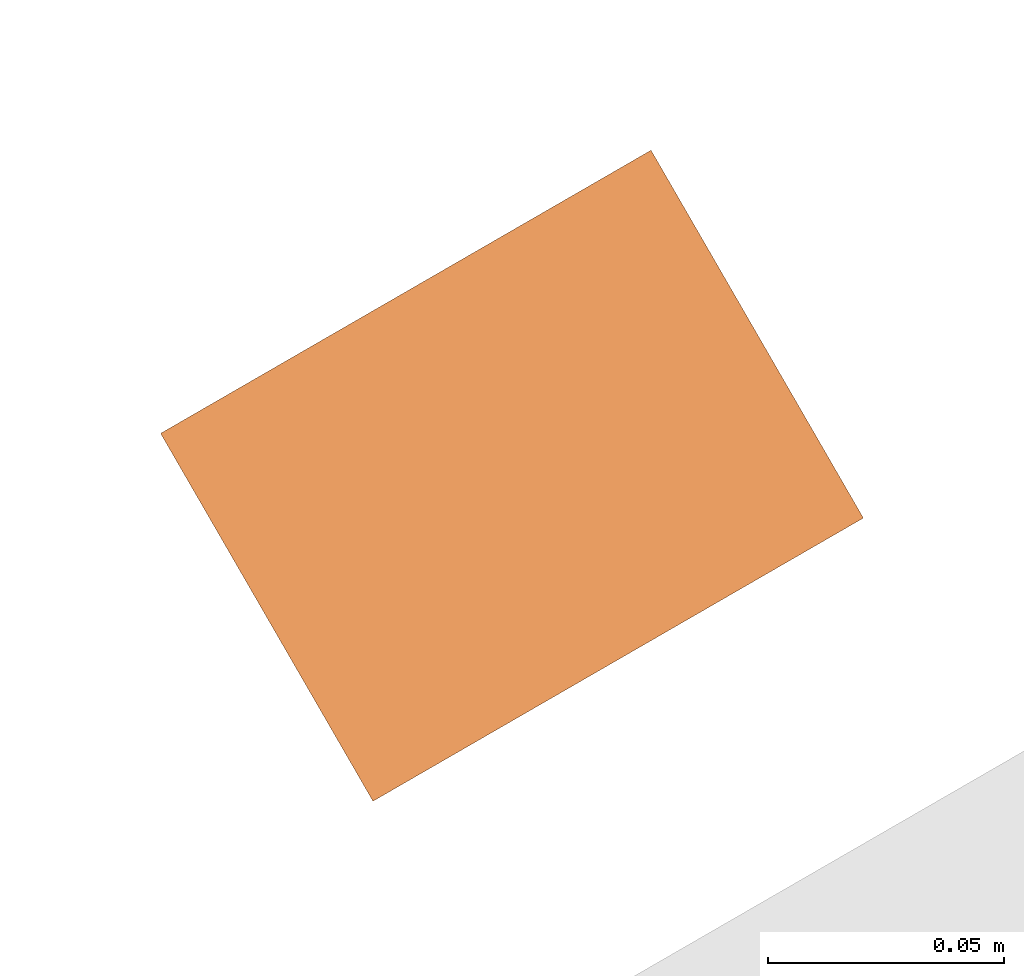
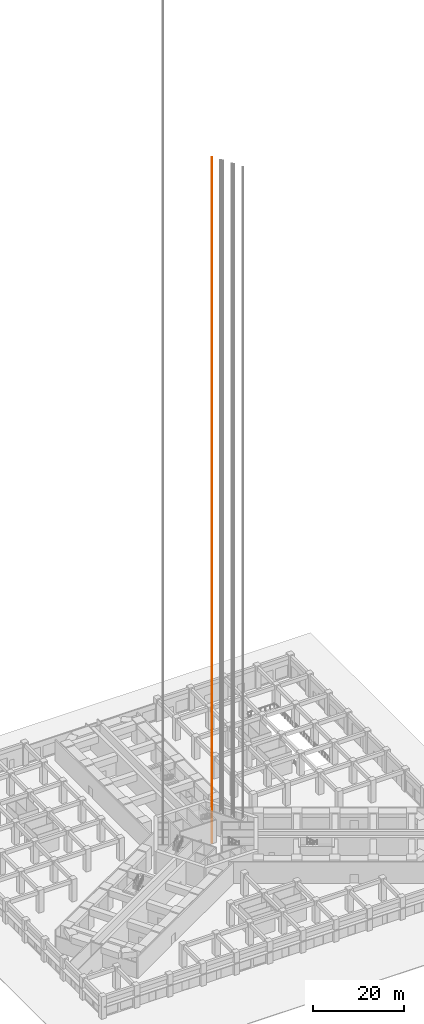
# One storey, part 33 of 33: 1 proxy.
"""IFC4 building model written with IfcOpenShell, lengths in metres."""

from ifc_helpers import new_model, si_unit, direction, frame, origin, origin_2d, place, context, subcontext, project, spatial, rectangle, extrude, material, type_object, element, save


model = new_model("IFC4")

# Units and contexts
model_context = context("Model", 3, precision=1e-05, world=origin(), true_north=direction((0.0, 1.0)))
body_context = subcontext(model_context, "Body", "Model", "MODEL_VIEW")
ifc_project = project(units=[si_unit("LENGTHUNIT", "METRE"), si_unit("AREAUNIT", "SQUARE_METRE"), si_unit("VOLUMEUNIT", "CUBIC_METRE"), si_unit("PLANEANGLEUNIT", "RADIAN"), si_unit("MASSUNIT", "GRAM", prefix="KILO")], contexts=[model_context])

# Site, building, storey
site_placement = place(None, origin())
site = spatial("IfcSite", under=ifc_project, at=site_placement, CompositionType="ELEMENT")
building_placement = place(site_placement, origin())
building = spatial("IfcBuilding", under=site, at=building_placement, Name="Impinga Residences", CompositionType="ELEMENT")
storey_placement = place(building_placement, origin())
storey = spatial("IfcBuildingStorey", under=building, at=storey_placement, Name="L00", CompositionType="ELEMENT", Elevation=0.0)

# Proxy
ifc_material = material(Name="Steel lift guide rail, galvanised", Category="steel")
building_element_proxy_type = type_object("IfcBuildingElementProxyType", Name="LGR lift guide rail", PredefinedType="USERDEFINED", material=ifc_material)
proxy_placement = place(storey_placement, frame((6.172119140625, 8.072509765625, -3.5), z_axis=(0.0, 0.0, 1.0), x_axis=(-0.5, 0.866025403784, 0.0)))
element("IfcBuildingElementProxy", 1, at=proxy_placement, inside=storey, type_object=building_element_proxy_type, Name="Guide rail P4 2", ObjectType="Lift guide rail", PredefinedType="USERDEFINED", context=body_context, shape_type="SweptSolid", body=[
    extrude(rectangle(XDim=0.090087890625, YDim=0.1201171875, at=origin_2d()), origin(), (0.0, 0.0, 1.0), 183.14990234375),
])

save(model, "model.ifc")
